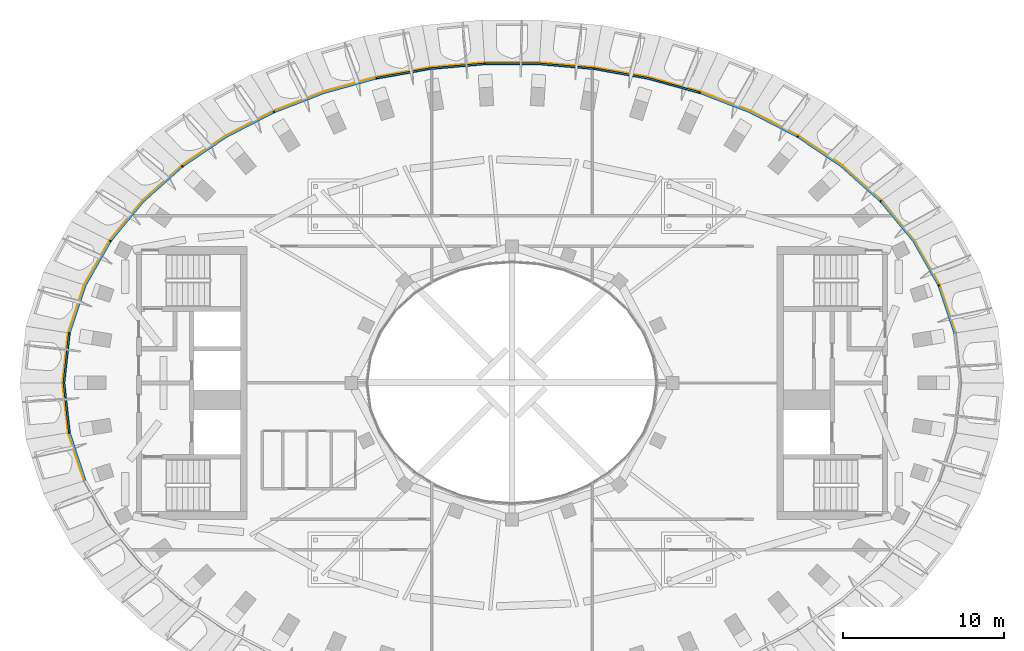
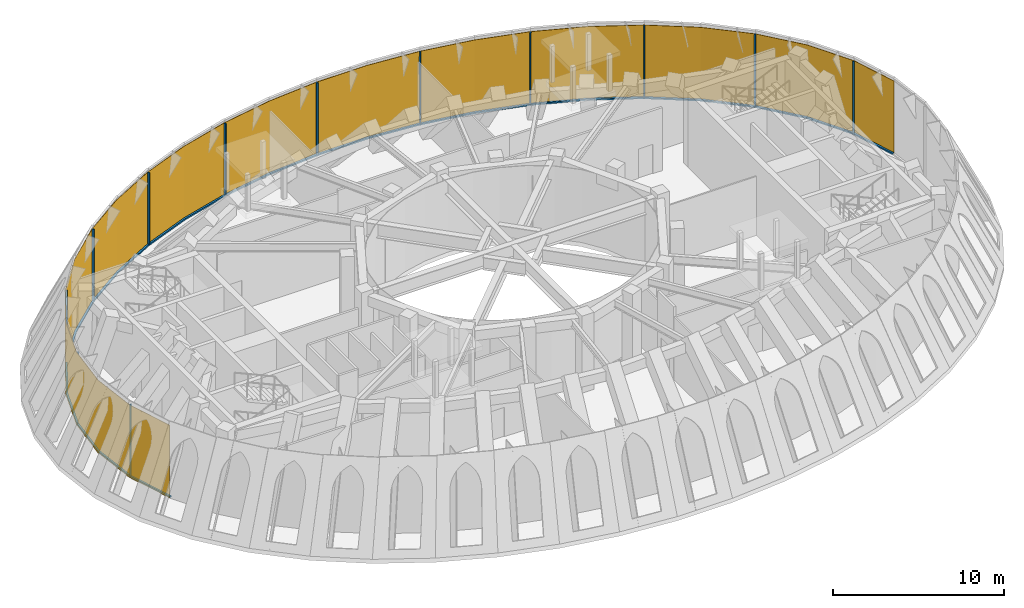
# One storey, part 8 of 13: 25 members, 1 curtain wall.
"""IFC4 building model written with IfcOpenShell, lengths in metres."""

from ifc_helpers import new_model, si_unit, direction, frame, origin, origin_2d, place, context, subcontext, project, spatial, polyline, rectangle, outline, extrude, material, layer, layer_set, material_profile, profile_set, type_object, element, aggregate, save


model = new_model("IFC4")

# Units and contexts
model_context = context("Model", 3, precision=1e-05, world=origin(), true_north=direction((0.0, 1.0)))
body_context = subcontext(model_context, "Body", "Model", "MODEL_VIEW")
ifc_project = project(units=[si_unit("LENGTHUNIT", "METRE"), si_unit("AREAUNIT", "SQUARE_METRE"), si_unit("VOLUMEUNIT", "CUBIC_METRE"), si_unit("PLANEANGLEUNIT", "RADIAN"), si_unit("MASSUNIT", "GRAM", prefix="KILO")], contexts=[model_context])

# Member
ifc_material_1 = material(Name="Aluminium 6063-T6 black anodised", Category="aluminium")
ifc_material_profile = material_profile(ifc_material_1, rectangle(XDim=0.1201171875, YDim=0.06005859375, at=origin_2d()), Name="120x60")
ifc_profile_set = profile_set([ifc_material_profile], Name="Aluminium 6063-T6 black anodised")
member_type_1 = type_object("IfcMemberType", Name="ENV-MULLION-H-120", PredefinedType="MULLION", material=ifc_profile_set)
site_placement = place(None, origin())
building_placement = place(site_placement, origin())
storey_placement = place(building_placement, frame((0.0, 0.0, 351.0)))
member_1_placement = place(storey_placement, frame((26.5791015625, 6.06884765625, 0.0), z_axis=(0.0, 0.0, 1.0), x_axis=(-0.913608946914, -0.406594013874, 0.0)))
member_1 = element("IfcMember", 1, at=member_1_placement, type_object=member_type_1, Name="Mullion H radial 03", PredefinedType="MULLION", context=body_context, shape_type="SweptSolid", body=[
    extrude(rectangle(XDim=0.1201171875, YDim=0.06005859375, at=origin_2d()), origin(), (0.0, 0.0, 1.0), 5.199951171875),
])

member_2_placement = place(storey_placement, frame((22.9619140625, 11.3134765625, 0.0), z_axis=(0.0, 0.0, 1.0), x_axis=(-0.720610782571, -0.693339815706, 0.0)))
member_2 = element("IfcMember", 2, at=member_2_placement, type_object=member_type_1, Name="Mullion H radial 05", PredefinedType="MULLION", context=body_context, shape_type="SweptSolid", body=[
    extrude(rectangle(XDim=0.1201171875, YDim=0.06005859375, at=origin_2d()), origin(), (0.0, 0.0, 1.0), 5.199951171875),
])

member_3_placement = place(storey_placement, frame((17.78955078125, 15.337890625, 0.0), z_axis=(0.0, 0.0, 1.0), x_axis=(-0.510126063051, -0.860099645271, 0.0)))
member_3 = element("IfcMember", 3, at=member_3_placement, type_object=member_type_1, Name="Mullion H radial 07", PredefinedType="MULLION", context=body_context, shape_type="SweptSolid", body=[
    extrude(rectangle(XDim=0.1201171875, YDim=0.06005859375, at=origin_2d()), origin(), (0.0, 0.0, 1.0), 5.199951171875),
])

member_4_placement = place(storey_placement, frame((11.688720703125, 18.0771484375, 0.0), z_axis=(0.0, 0.0, 1.0), x_axis=(-0.313706547838, -0.949519984963, 0.0)))
member_4 = element("IfcMember", 4, at=member_4_placement, type_object=member_type_1, Name="Mullion H radial 09", PredefinedType="MULLION", context=body_context, shape_type="SweptSolid", body=[
    extrude(rectangle(XDim=0.1201171875, YDim=0.06005859375, at=origin_2d()), origin(), (0.0, 0.0, 1.0), 5.199951171875),
])

member_5_placement = place(storey_placement, frame((5.08984375, 19.573974609375, 0.0), z_axis=(0.0, 0.0, 1.0), x_axis=(-0.131660617796, -0.991294851052, 0.0)))
member_5 = element("IfcMember", 5, at=member_5_placement, type_object=member_type_1, Name="Mullion H radial 11", PredefinedType="MULLION", context=body_context, shape_type="SweptSolid", body=[
    extrude(rectangle(XDim=0.1201171875, YDim=0.06005859375, at=origin_2d()), origin(), (0.0, 0.0, 1.0), 5.199951171875),
])

member_6_placement = place(storey_placement, frame((-1.701904296875, 19.870849609375, 0.0), z_axis=(0.0, 0.0, 1.0), x_axis=(0.043698788781, -0.99904475168, 0.0)))
member_6 = element("IfcMember", 6, at=member_6_placement, type_object=member_type_1, Name="Mullion H radial 13", PredefinedType="MULLION", context=body_context, shape_type="SweptSolid", body=[
    extrude(rectangle(XDim=0.1201171875, YDim=0.06005859375, at=origin_2d()), origin(), (0.0, 0.0, 1.0), 5.199951171875),
])

member_7_placement = place(storey_placement, frame((-8.430419921875, 18.9775390625, 0.0), z_axis=(0.0, 0.0, 1.0), x_axis=(0.221305581056, -0.975204511779, 0.0)))
member_7 = element("IfcMember", 7, at=member_7_placement, type_object=member_type_1, Name="Mullion H radial 15", PredefinedType="MULLION", context=body_context, shape_type="SweptSolid", body=[
    extrude(rectangle(XDim=0.1201171875, YDim=0.06005859375, at=origin_2d()), origin(), (0.0, 0.0, 1.0), 5.199951171875),
])

member_8_placement = place(storey_placement, frame((-14.82421875, 16.8662109375, 0.0), z_axis=(0.0, 0.0, 1.0), x_axis=(0.409793699949, -0.912178230108, 0.0)))
member_8 = element("IfcMember", 8, at=member_8_placement, type_object=member_type_1, Name="Mullion H radial 17", PredefinedType="MULLION", context=body_context, shape_type="SweptSolid", body=[
    extrude(rectangle(XDim=0.1201171875, YDim=0.06005859375, at=origin_2d()), origin(), (0.0, 0.0, 1.0), 5.199951171875),
])

member_9_placement = place(storey_placement, frame((-20.52587890625, 13.48681640625, 0.0), z_axis=(0.0, 0.0, 1.0), x_axis=(0.614411183298, -0.788985993436, 0.0)))
member_9 = element("IfcMember", 9, at=member_9_placement, type_object=member_type_1, Name="Mullion H radial 19", PredefinedType="MULLION", context=body_context, shape_type="SweptSolid", body=[
    extrude(rectangle(XDim=0.1201171875, YDim=0.06005859375, at=origin_2d()), origin(), (0.0, 0.0, 1.0), 5.199951171875),
])

member_10_placement = place(storey_placement, frame((-25.01171875, 8.829833984375, 0.0), z_axis=(0.0, 0.0, 1.0), x_axis=(0.82356336447, -0.567224280777, 0.0)))
member_10 = element("IfcMember", 10, at=member_10_placement, type_object=member_type_1, Name="Mullion H radial 21", PredefinedType="MULLION", context=body_context, shape_type="SweptSolid", body=[
    extrude(rectangle(XDim=0.1201171875, YDim=0.06005859375, at=origin_2d()), origin(), (0.0, 0.0, 1.0), 5.199951171875),
])

member_11_placement = place(storey_placement, frame((-27.56884765625, 3.09375, 0.0), z_axis=(0.0, 0.0, 1.0), x_axis=(0.976940221275, -0.213513006758, 0.0)))
member_11 = element("IfcMember", 11, at=member_11_placement, type_object=member_type_1, Name="Mullion H radial 23", PredefinedType="MULLION", context=body_context, shape_type="SweptSolid", body=[
    extrude(rectangle(XDim=0.1201171875, YDim=0.06005859375, at=origin_2d()), origin(), (0.0, 0.0, 1.0), 5.199951171875),
])

member_12_placement = place(storey_placement, frame((-27.56884765625, -3.09375, 0.0), z_axis=(0.0, 0.0, 1.0), x_axis=(0.976940221275, 0.213513006758, 0.0)))
member_12 = element("IfcMember", 12, at=member_12_placement, type_object=member_type_1, Name="Mullion H radial 25", PredefinedType="MULLION", context=body_context, shape_type="SweptSolid", body=[
    extrude(rectangle(XDim=0.1201171875, YDim=0.06005859375, at=origin_2d()), origin(), (0.0, 0.0, 1.0), 5.199951171875),
])

ifc_material_2 = material(Name="Aluminium 6063-T6 black anodised", Category="aluminium")
member_type_2 = type_object("IfcMemberType", Name="ENV-TRANSOM-H", PredefinedType="USERDEFINED", material=ifc_material_2)
member_13_placement = place(storey_placement, origin())
member_13 = element("IfcMember", 13, at=member_13_placement, type_object=member_type_2, Name="Transom H radial 02-03", ObjectType="TRANSOM", PredefinedType="USERDEFINED", context=body_context, shape_type="SweptSolid", body=[
    extrude(outline(polyline([(27.627197265625, 3.1064453125), (26.642578125, 6.066650390625), (26.532470703125, 6.017578125), (27.50927734375, 3.080810546875), (27.627197265625, 3.1064453125)])), origin(), (0.0, 0.0, 1.0), 0.10009765625),
])

member_14_placement = place(storey_placement, origin())
member_14 = element("IfcMember", 14, at=member_14_placement, type_object=member_type_2, Name="Transom H radial 03-05", ObjectType="TRANSOM", PredefinedType="USERDEFINED", context=body_context, shape_type="SweptSolid", body=[
    extrude(outline(polyline([(26.619873046875, 6.11767578125), (25.060791015625, 8.86376953125), (23.022705078125, 11.33349609375), (22.93603515625, 11.25), (24.961669921875, 8.79541015625), (26.509765625, 6.068603515625), (26.619873046875, 6.11767578125)])), origin(), (0.0, 0.0, 1.0), 0.10009765625),
])

member_15_placement = place(storey_placement, origin())
member_15 = element("IfcMember", 15, at=member_15_placement, type_object=member_type_2, Name="Transom H radial 05-07", ObjectType="TRANSOM", PredefinedType="USERDEFINED", context=body_context, shape_type="SweptSolid", body=[
    extrude(outline(polyline([(22.984130859375, 11.37353515625), (20.562744140625, 13.5341796875), (17.84326171875, 15.373779296875), (17.781982421875, 15.2705078125), (20.48876953125, 13.439208984375), (22.8974609375, 11.290283203125), (22.984130859375, 11.37353515625)])), origin(), (0.0, 0.0, 1.0), 0.10009765625),
])

member_16_placement = place(storey_placement, origin())
member_16 = element("IfcMember", 16, at=member_16_placement, type_object=member_type_2, Name="Transom H radial 07-09", ObjectType="TRANSOM", PredefinedType="USERDEFINED", context=body_context, shape_type="SweptSolid", body=[
    extrude(outline(polyline([(17.795166015625, 15.40234375), (14.848876953125, 16.9208984375), (11.7333984375, 18.1240234375), (11.69580078125, 18.010009765625), (14.799560546875, 16.811279296875), (17.73388671875, 15.298828125), (17.795166015625, 15.40234375)])), origin(), (0.0, 0.0, 1.0), 0.10009765625),
])

member_17_placement = place(storey_placement, origin())
member_17 = element("IfcMember", 17, at=member_17_placement, type_object=member_type_2, Name="Transom H radial 09-11", ObjectType="TRANSOM", PredefinedType="USERDEFINED", context=body_context, shape_type="SweptSolid", body=[
    extrude(outline(polyline([(11.680419921875, 18.1416015625), (8.443603515625, 19.0361328125), (5.125244140625, 19.62841796875), (5.109619140625, 19.509521484375), (8.4169921875, 18.9189453125), (11.642578125, 18.027587890625), (11.680419921875, 18.1416015625)])), origin(), (0.0, 0.0, 1.0), 0.10009765625),
])

member_18_placement = place(storey_placement, origin())
member_18 = element("IfcMember", 18, at=member_18_placement, type_object=member_type_2, Name="Transom H radial 11-13", ObjectType="TRANSOM", PredefinedType="USERDEFINED", context=body_context, shape_type="SweptSolid", body=[
    extrude(outline(polyline([(5.06982421875, 19.635986328125), (1.704345703125, 19.930908203125), (-1.676513671875, 19.930908203125), (-1.671142578125, 19.810791015625), (1.69921875, 19.810791015625), (5.053955078125, 19.516845703125), (5.06982421875, 19.635986328125)])), origin(), (0.0, 0.0, 1.0), 0.10009765625),
])

member_19_placement = place(storey_placement, origin())
member_19 = element("IfcMember", 19, at=member_19_placement, type_object=member_type_2, Name="Transom H radial 13-15", ObjectType="TRANSOM", PredefinedType="USERDEFINED", context=body_context, shape_type="SweptSolid", body=[
    extrude(outline(polyline([(-1.732421875, 19.928466796875), (-5.09765625, 19.63330078125), (-8.416015625, 19.041015625), (-8.3896484375, 18.923828125), (-5.081787109375, 19.514404296875), (-1.72705078125, 19.808349609375), (-1.732421875, 19.928466796875)])), origin(), (0.0, 0.0, 1.0), 0.10009765625),
])

member_20_placement = place(storey_placement, origin())
member_20 = element("IfcMember", 20, at=member_20_placement, type_object=member_type_2, Name="Transom H radial 15-17", ObjectType="TRANSOM", PredefinedType="USERDEFINED", context=body_context, shape_type="SweptSolid", body=[
    extrude(outline(polyline([(-8.470703125, 19.028564453125), (-11.70751953125, 18.134033203125), (-14.82275390625, 16.930908203125), (-14.7734375, 16.8212890625), (-11.669677734375, 18.02001953125), (-8.444091796875, 18.91162109375), (-8.470703125, 19.028564453125)])), origin(), (0.0, 0.0, 1.0), 0.10009765625),
])

member_21_placement = place(storey_placement, origin())
member_21 = element("IfcMember", 21, at=member_21_placement, type_object=member_type_2, Name="Transom H radial 17-19", ObjectType="TRANSOM", PredefinedType="USERDEFINED", context=body_context, shape_type="SweptSolid", body=[
    extrude(outline(polyline([(-14.873779296875, 16.908203125), (-17.820068359375, 15.389404296875), (-20.53955078125, 13.5498046875), (-20.465576171875, 13.455078125), (-17.7587890625, 15.2861328125), (-14.824462890625, 16.798583984375), (-14.873779296875, 16.908203125)])), origin(), (0.0, 0.0, 1.0), 0.10009765625),
])

member_22_placement = place(storey_placement, origin())
member_22 = element("IfcMember", 22, at=member_22_placement, type_object=member_type_2, Name="Transom H radial 19-21", ObjectType="TRANSOM", PredefinedType="USERDEFINED", context=body_context, shape_type="SweptSolid", body=[
    extrude(outline(polyline([(-20.58349609375, 13.515380859375), (-23.0048828125, 11.35498046875), (-25.043212890625, 8.88525390625), (-24.94384765625, 8.81689453125), (-22.918212890625, 11.271484375), (-20.509765625, 13.420654296875), (-20.58349609375, 13.515380859375)])), origin(), (0.0, 0.0, 1.0), 0.10009765625),
])

member_23_placement = place(storey_placement, origin())
member_23 = element("IfcMember", 23, at=member_23_placement, type_object=member_type_2, Name="Transom H radial 21-23", ObjectType="TRANSOM", PredefinedType="USERDEFINED", context=body_context, shape_type="SweptSolid", body=[
    extrude(outline(polyline([(-25.07470703125, 8.83935546875), (-26.6337890625, 6.09326171875), (-27.618408203125, 3.133056640625), (-27.50048828125, 3.107421875), (-26.5234375, 6.044189453125), (-24.9755859375, 8.77099609375), (-25.07470703125, 8.83935546875)])), origin(), (0.0, 0.0, 1.0), 0.10009765625),
])

member_24_placement = place(storey_placement, origin())
member_24 = element("IfcMember", 24, at=member_24_placement, type_object=member_type_2, Name="Transom H radial 23-25", ObjectType="TRANSOM", PredefinedType="USERDEFINED", context=body_context, shape_type="SweptSolid", body=[
    extrude(outline(polyline([(-27.63037109375, 3.07861328125), (-27.9677734375, 0.0), (-27.63037109375, -3.07861328125), (-27.512451171875, -3.052978515625), (-27.84716796875, 0.0), (-27.512451171875, 3.052978515625), (-27.63037109375, 3.07861328125)])), origin(), (0.0, 0.0, 1.0), 0.10009765625),
])

member_25_placement = place(storey_placement, origin())
member_25 = element("IfcMember", 25, at=member_25_placement, type_object=member_type_2, Name="Transom H radial 25-26", ObjectType="TRANSOM", PredefinedType="USERDEFINED", context=body_context, shape_type="SweptSolid", body=[
    extrude(outline(polyline([(-27.618408203125, -3.133056640625), (-26.6337890625, -6.09326171875), (-26.5234375, -6.044189453125), (-27.50048828125, -3.107421875), (-27.618408203125, -3.133056640625)])), origin(), (0.0, 0.0, 1.0), 0.10009765625),
])

# Site, building, storey
site = spatial("IfcSite", under=ifc_project, at=site_placement, CompositionType="ELEMENT")
building = spatial("IfcBuilding", under=site, at=building_placement, Name="Noorbagh Ring Tower", CompositionType="ELEMENT")
storey = spatial("IfcBuildingStorey", under=building, at=storey_placement, Name="L77", CompositionType="ELEMENT", Elevation=351.0)

# Curtain wall
ifc_material_3 = material(Name="Glass dark tinted laminated", Category="glass")
ifc_layer = layer(ifc_material_3, 0.031982421875)
ifc_layer_set = layer_set([ifc_layer], Name="Glass dark tinted laminated")
curtain_wall_type = type_object("IfcCurtainWallType", Name="ENV-CW-H", PredefinedType="NOTDEFINED", material=ifc_layer_set)
curtain_wall_placement = place(storey_placement, origin())
curtain_wall = element("IfcCurtainWall", 26, at=curtain_wall_placement, inside=storey, type_object=curtain_wall_type, Name="Curtain wall H R02", PredefinedType="NOTDEFINED", context=body_context, shape_type="SweptSolid", body=[
    extrude(outline(polyline([(27.65869140625, 3.11328125), (26.6630859375, 6.106201171875), (25.08740234375, 8.882080078125), (23.028076171875, 11.377197265625), (20.58251953125, 13.5595703125), (17.83642578125, 15.4169921875), (14.86181640625, 16.9501953125), (11.717529296875, 18.16455078125), (8.45068359375, 19.0673828125), (5.10205078125, 19.665283203125), (1.705810546875, 19.962890625), (-1.705810546875, 19.962890625), (-5.10205078125, 19.665283203125), (-8.45068359375, 19.0673828125), (-11.717529296875, 18.16455078125), (-14.86181640625, 16.9501953125), (-17.83642578125, 15.4169921875), (-20.58251953125, 13.5595703125), (-23.028076171875, 11.377197265625), (-25.08740234375, 8.882080078125), (-26.6630859375, 6.106201171875), (-27.65869140625, 3.11328125), (-28.0, 0.0), (-27.65869140625, -3.11328125), (-26.6630859375, -6.106201171875), (-26.6337890625, -6.09326171875), (-27.627197265625, -3.1064453125), (-27.9677734375, 0.0), (-27.627197265625, 3.1064453125), (-26.6337890625, 6.09326171875), (-25.060791015625, 8.86376953125), (-23.0048828125, 11.35498046875), (-20.562744140625, 13.5341796875), (-17.820068359375, 15.389404296875), (-14.848876953125, 16.9208984375), (-11.70751953125, 18.134033203125), (-8.443603515625, 19.0361328125), (-5.09765625, 19.63330078125), (-1.704345703125, 19.930908203125), (1.704345703125, 19.930908203125), (5.09765625, 19.63330078125), (8.443603515625, 19.0361328125), (11.70751953125, 18.134033203125), (14.848876953125, 16.9208984375), (17.820068359375, 15.389404296875), (20.562744140625, 13.5341796875), (23.0048828125, 11.35498046875), (25.060791015625, 8.86376953125), (26.6337890625, 6.09326171875), (27.627197265625, 3.1064453125), (27.65869140625, 3.11328125)])), origin(), (0.0, 0.0, 1.0), 5.199951171875),
])

aggregate(curtain_wall, [member_1, member_2, member_3, member_4, member_5, member_6, member_7, member_8, member_9, member_10, member_11, member_12, member_13, member_14, member_15, member_16, member_17, member_18, member_19, member_20, member_21, member_22, member_23, member_24, member_25])

save(model, "model.ifc")
